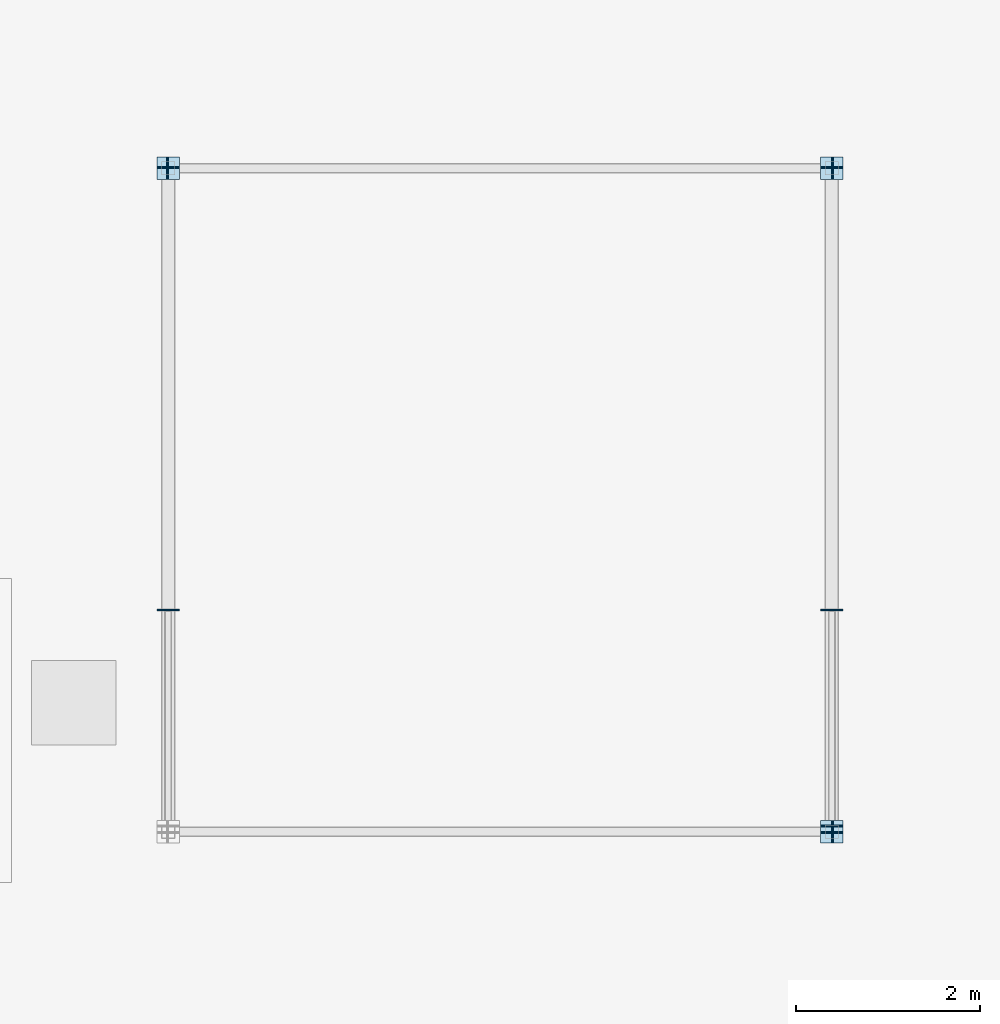
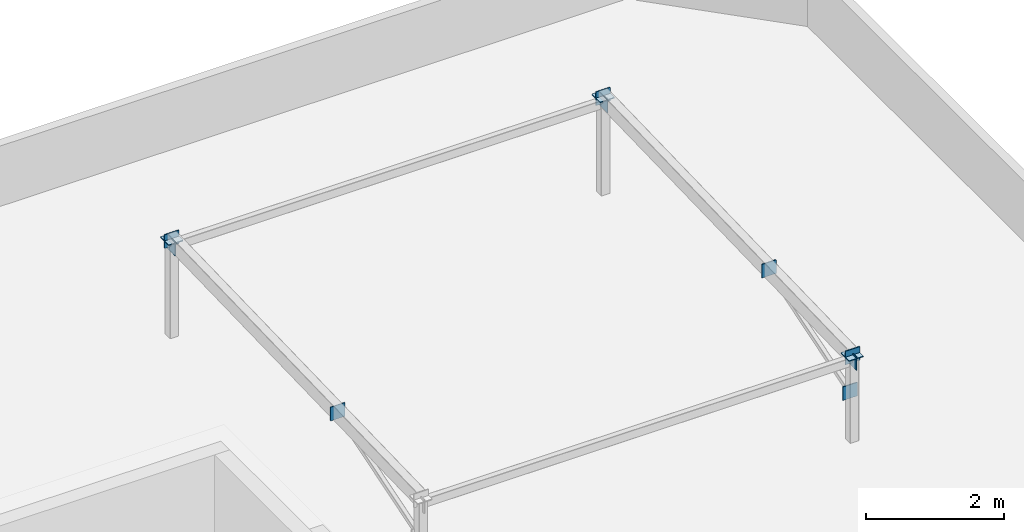
# One storey, part 5 of 7: 12 plates.
"""IFC4 building model written with IfcOpenShell, lengths in metres."""

from ifc_helpers import new_model, si_unit, direction, frame, origin, origin_2d, place, context, subcontext, project, spatial, rectangle, extrude, material, layer, layer_set, type_object, element, save


model = new_model("IFC4")

# Units and contexts
model_context = context("Model", 3, precision=1e-05, world=origin(), true_north=direction((0.0, 1.0)))
body_context = subcontext(model_context, "Body", "Model", "MODEL_VIEW")
ifc_project = project(units=[si_unit("LENGTHUNIT", "METRE"), si_unit("AREAUNIT", "SQUARE_METRE"), si_unit("VOLUMEUNIT", "CUBIC_METRE"), si_unit("PLANEANGLEUNIT", "RADIAN"), si_unit("MASSUNIT", "GRAM", prefix="KILO")], contexts=[model_context])

# Site, building, storey
site_placement = place(None, origin())
site = spatial("IfcSite", under=ifc_project, at=site_placement, CompositionType="ELEMENT")
building_placement = place(site_placement, origin())
building = spatial("IfcBuilding", under=site, at=building_placement, Name="Ochrevale Crest", CompositionType="ELEMENT")
storey_placement = place(building_placement, frame((0.0, 0.0, 52.800048828125)))
storey = spatial("IfcBuildingStorey", under=building, at=storey_placement, Name="RF", CompositionType="ELEMENT", Elevation=52.800048828125)

# Plates
ifc_material = material(Name="Steel S355", Category="steel")
ifc_layer = layer(ifc_material, 0.01611328125)
ifc_layer_set = layer_set([ifc_layer], Name="Steel S355")
plate_type = type_object("IfcPlateType", Name="PLT-CAP-16", PredefinedType="USERDEFINED", material=ifc_layer_set)
plate_placement = place(storey_placement, frame((151.199951171875, 86.39990234375, 1.719970703125), z_axis=(0.0, 0.0, 1.0), x_axis=(1.0, 0.0, 0.0)))
element("IfcPlate", 1, at=plate_placement, inside=storey, type_object=plate_type, Name="Block D solar-frame support post welded end cap plate CE", ObjectType="CAP PLATE", PredefinedType="USERDEFINED", context=body_context, shape_type="SweptSolid", body=[
    extrude(rectangle(XDim=0.239990234375, YDim=0.239990234375, at=origin_2d()), origin(), (0.0, 0.0, 1.0), 0.01611328125),
])
for number, where, z_axis, x_axis, name in (
    (2, (151.199951171875, 86.407958984375, 1.60009765625), (0.0, 0.0, 1.0), (0.0, 1.0, 0.0), "Block D solar-frame array rafter 3 welded end cap plate CE"),
    (3, (151.199951171875, 81.607666015625, 1.46728515625), (0.0, 0.0, 1.0), (0.0, 1.0, 0.0), "Block D solar-frame knee-brace strut 3 welded end cap plate CE"),
):
    element("IfcPlate", number, at=place(storey_placement, frame(where, z_axis=z_axis, x_axis=x_axis)), inside=storey, type_object=plate_type, Name=name, ObjectType="CAP PLATE", PredefinedType="USERDEFINED", context=body_context, shape_type="SweptSolid", body=[
        extrude(rectangle(XDim=0.01611328125, YDim=0.239990234375, at=origin_2d()), origin(), (0.0, 0.0, 1.0), 0.239990234375),
    ])
for number, where, z_axis, x_axis, name in (
    (4, (158.39990234375, 79.199951171875, 1.519775390625), (0.0, 0.0, 1.0), (1.0, 0.0, 0.0), "Block D solar-frame support post welded end cap plate CE"),
    (5, (158.39990234375, 86.39990234375, 1.719970703125), (0.0, 0.0, 1.0), (1.0, 0.0, 0.0), "Block D solar-frame support post welded end cap plate CE"),
):
    element("IfcPlate", number, at=place(storey_placement, frame(where, z_axis=z_axis, x_axis=x_axis)), inside=storey, type_object=plate_type, Name=name, ObjectType="CAP PLATE", PredefinedType="USERDEFINED", context=body_context, shape_type="SweptSolid", body=[
        extrude(rectangle(XDim=0.239990234375, YDim=0.239990234375, at=origin_2d()), origin(), (0.0, 0.0, 1.0), 0.01611328125),
    ])
for number, where, z_axis, x_axis, name in (
    (6, (158.39990234375, 79.19189453125, 1.39990234375), (0.0, 0.0, 1.0), (0.0, 1.0, 0.0), "Block D solar-frame array rafter 4 welded end cap plate CS"),
    (7, (158.39990234375, 86.407958984375, 1.60009765625), (0.0, 0.0, 1.0), (0.0, 1.0, 0.0), "Block D solar-frame array rafter 4 welded end cap plate CE"),
    (8, (158.39990234375, 79.262451171875, 0.7275390625), (0.0, 0.0, 1.0), (0.0, 1.0, 0.0), "Block D solar-frame knee-brace strut 4 welded end cap plate CS"),
    (9, (158.39990234375, 81.607666015625, 1.46728515625), (0.0, 0.0, 1.0), (0.0, 1.0, 0.0), "Block D solar-frame knee-brace strut 4 welded end cap plate CE"),
    (10, (158.407958984375, 79.199951171875, 1.31982421875), (0.0, 0.0, 1.0), (1.0, 0.0, 0.0), "Block D solar-frame purlin E welded end cap plate CE"),
    (11, (151.19189453125, 86.39990234375, 1.5), (0.0, 0.0, 1.0), (1.0, 0.0, 0.0), "Block D solar-frame purlin E welded end cap plate CS"),
    (12, (158.407958984375, 86.39990234375, 1.5), (0.0, 0.0, 1.0), (1.0, 0.0, 0.0), "Block D solar-frame purlin E welded end cap plate CE"),
):
    element("IfcPlate", number, at=place(storey_placement, frame(where, z_axis=z_axis, x_axis=x_axis)), inside=storey, type_object=plate_type, Name=name, ObjectType="CAP PLATE", PredefinedType="USERDEFINED", context=body_context, shape_type="SweptSolid", body=[
        extrude(rectangle(XDim=0.01611328125, YDim=0.239990234375, at=origin_2d()), origin(), (0.0, 0.0, 1.0), 0.239990234375),
    ])

save(model, "model.ifc")
